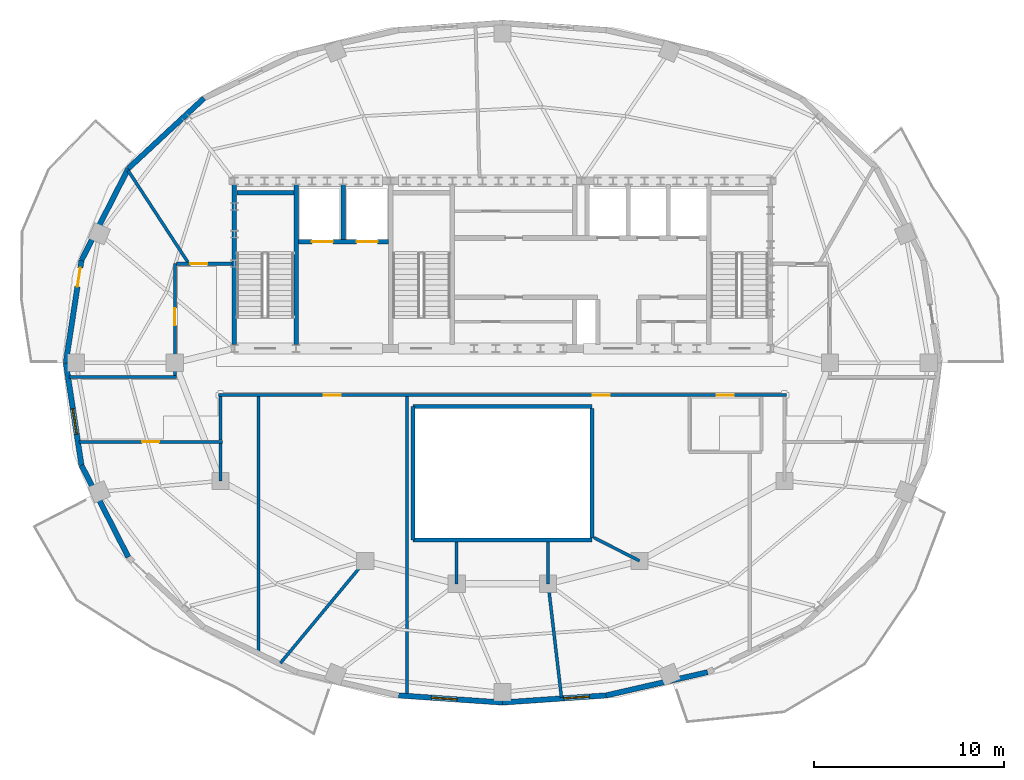
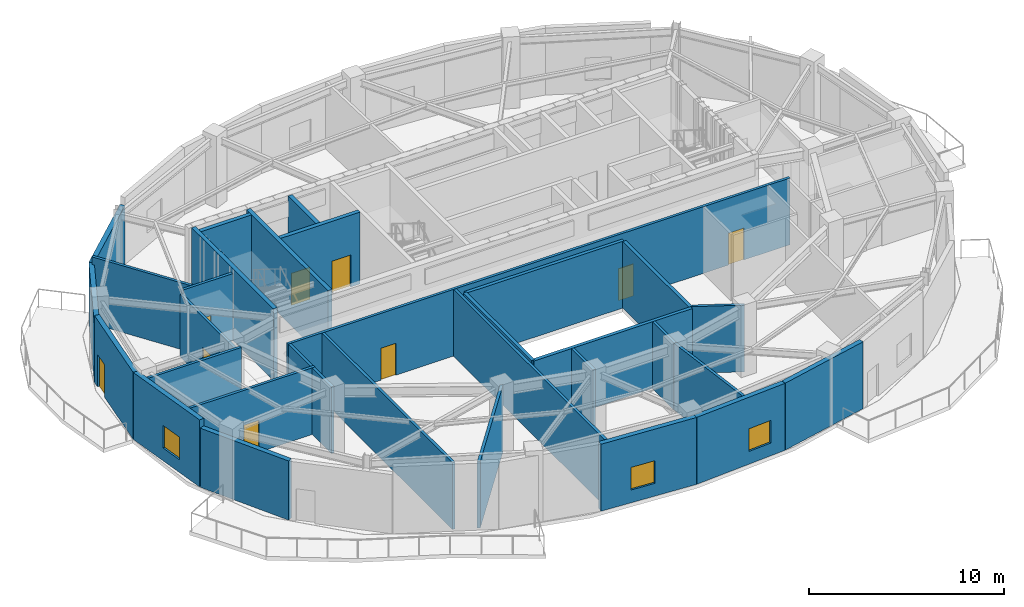
# One storey, part 3 of 9: 32 walls, 9 doors, 3 windows, 12 openings.
"""IFC4 building model written with IfcOpenShell, lengths in metres."""

import ifcopenshell
import ifcopenshell.guid

model = None  # the IFC model being written
_history = None  # IfcOwnerHistory: only IFC2X3 demands one
_inside = {}  # id of a spatial element -> (the spatial element, [elements in it])
_under = {}  # id of a project, library or spatial element -> (it, [spatial elements below it])
_declared = {}  # id of a project -> (the project, [libraries it declares])
_typed = {}  # id of a type object -> (the type object, [elements of that type])
_made_of = {}  # id of a material, layer set ... -> (it, [elements and type objects made of it])


def new_model(schema):
    """Start an empty IFC model of exactly this schema.

    Asked for "IFC4X3", IfcOpenShell would pick the latest addendum, in which some entities
    have other attributes; the version numbers below select the first issue.
    IFC2X3 requires an IfcOwnerHistory on every rooted entity: one is made here for all.
    """
    global model, _history
    if schema == "IFC4X3":
        model = ifcopenshell.file(schema_version=(4, 3, 0, 0))
    else:
        model = ifcopenshell.file(schema=schema)
    _inside.clear()
    _under.clear()
    _declared.clear()
    _typed.clear()
    _made_of.clear()
    _history = None
    if model.schema == "IFC2X3":
        org = make("IfcOrganization", Name="unknown")
        user = make(
            "IfcPersonAndOrganization",
            ThePerson=make("IfcPerson", FamilyName="unknown"),
            TheOrganization=org,
        )
        app = make(
            "IfcApplication",
            ApplicationDeveloper=org,
            Version="unknown",
            ApplicationFullName="unknown",
            ApplicationIdentifier="unknown",
        )
        _history = make(
            "IfcOwnerHistory",
            OwningUser=user,
            OwningApplication=app,
            ChangeAction="ADDED",
            CreationDate=0,
        )
    return model


def make(cls, **values):
    """One entity of the class cls with the attributes given. An attribute that is None is left unset."""
    return model.create_entity(
        cls, **{name: value for name, value in values.items() if value is not None}
    )


def rooted(cls, **values):
    """An entity with a GlobalId (a new one), such as an element, a storey or a relation."""
    return make(cls, GlobalId=ifcopenshell.guid.new(), OwnerHistory=_history, **values)


def si_unit(unit_type, name, prefix=None):
    """IfcSIUnit, for example si_unit("LENGTHUNIT", "METRE", prefix="MILLI")."""
    return make("IfcSIUnit", UnitType=unit_type, Prefix=prefix, Name=name)


def assignment(units):
    """IfcUnitAssignment: the units of a project."""
    return None if units is None else make("IfcUnitAssignment", Units=units)


def point(xyz):
    """IfcCartesianPoint."""
    return None if xyz is None else make("IfcCartesianPoint", Coordinates=xyz)


def direction(xyz):
    """IfcDirection."""
    return None if xyz is None else make("IfcDirection", DirectionRatios=xyz)


def frame(location, z_axis=None, x_axis=None):
    """IfcAxis2Placement3D, a coordinate frame: its origin and axes. An axis left out is left unset."""
    return make(
        "IfcAxis2Placement3D",
        Location=point(location),
        Axis=direction(z_axis),
        RefDirection=direction(x_axis),
    )


def frame_2d(location, x_axis=None):
    """IfcAxis2Placement2D, a coordinate frame in the plane: its origin and x axis."""
    return make(
        "IfcAxis2Placement2D", Location=point(location), RefDirection=direction(x_axis)
    )


def origin():
    """The frame at (0, 0, 0) with its axes left unset."""
    return frame((0.0, 0.0, 0.0))


def place(relative_to, where):
    """IfcLocalPlacement: puts the frame where relative to a parent placement (None: the world)."""
    return make(
        "IfcLocalPlacement", PlacementRelTo=relative_to, RelativePlacement=where
    )


def context(
    kind, dimensions, precision=None, world=None, true_north=None, identifier=None
):
    """IfcGeometricRepresentationContext, for example the 3D "Model" context."""
    return make(
        "IfcGeometricRepresentationContext",
        ContextIdentifier=identifier,
        ContextType=kind,
        CoordinateSpaceDimension=dimensions,
        Precision=precision,
        WorldCoordinateSystem=world,
        TrueNorth=true_north,
    )


def subcontext(parent, identifier, kind, view, scale=None):
    """IfcGeometricRepresentationSubContext, for example "Body" below "Model"."""
    return make(
        "IfcGeometricRepresentationSubContext",
        ContextIdentifier=identifier,
        ContextType=kind,
        ParentContext=parent,
        TargetScale=scale,
        TargetView=view,
    )


def project(units=None, contexts=None):
    """IfcProject with its units and contexts."""
    return rooted(
        "IfcProject",
        Name="project",
        RepresentationContexts=contexts,
        UnitsInContext=assignment(units),
    )


def spatial(cls, under=None, at=None, **own):
    """A site, building, storey or space (cls), placed at a placement, below another one or the project."""
    s = rooted(cls, ObjectPlacement=at, **own)
    if under is not None:
        _under.setdefault(under.id(), (under, []))[1].append(s)
    return s


def profile(cls, at=None, kind="AREA", **sizes):
    """A parametric profile (cls). Its sizes go by their IFC names, for example OverallWidth=200.0."""
    return make(cls, ProfileType=kind, Position=at, **sizes)


def rectangle(**sizes):
    """IfcRectangleProfileDef."""
    return profile("IfcRectangleProfileDef", **sizes)


def extrude(swept, where, along, depth):
    """IfcExtrudedAreaSolid: the profile swept, set in the frame where, extruded along a direction by depth."""
    return make(
        "IfcExtrudedAreaSolid",
        SweptArea=swept,
        Position=where,
        ExtrudedDirection=direction(along),
        Depth=depth,
    )


def shape(context_of_items, identifier, shape_type, items):
    """IfcShapeRepresentation: the items that make up one representation, for example the "Body"."""
    return make(
        "IfcShapeRepresentation",
        ContextOfItems=context_of_items,
        RepresentationIdentifier=identifier,
        RepresentationType=shape_type,
        Items=items,
    )


def material(Name=None, Category=None):
    """IfcMaterial."""
    return make("IfcMaterial", Name=Name, Category=Category)


def layer(
    of_material, thickness, ventilated=None, Name=None, Category=None, Priority=None
):
    """IfcMaterialLayer: one layer of a wall or slab, of a material (None: an air gap)."""
    return make(
        "IfcMaterialLayer",
        Material=of_material,
        LayerThickness=thickness,
        IsVentilated=ventilated,
        Name=Name,
        Category=Category,
        Priority=Priority,
    )


def layer_set(layers, Name=None):
    """IfcMaterialLayerSet."""
    return make("IfcMaterialLayerSet", MaterialLayers=layers, LayerSetName=Name)


def made_of(thing, what):
    """Note that an element or type object is made of a material, layer set ...; save() writes the relation."""
    if what is not None:
        _made_of.setdefault(what.id(), (what, []))[1].append(thing)
    return thing


def type_object(cls, material=None, **own):
    """A type object (cls), such as IfcWallType, which elements share."""
    return made_of(rooted(cls, **own), material)


def element(
    cls,
    number,
    at=None,
    inside=None,
    cuts=None,
    type_object=None,
    material=None,
    context=None,
    identifier="Body",
    shape_type=None,
    held_by="IfcProductDefinitionShape",
    body=None,
    shapes=None,
    **own,
):
    """One element of the class cls, such as IfcWall. Its Tag is "e" and its number.

    at: its placement. inside: the storey or other place that contains it. cuts: it is an
    opening in that element (IfcRelVoidsElement). A single representation is given by context,
    identifier, shape_type and body (its items); several are given by shapes. held_by: the class
    of the entity that holds the representations. save() writes the other relations.
    """
    e = rooted(cls, Tag="e%d" % number, ObjectPlacement=at, **own)
    if body is not None:
        shapes = [shape(context, identifier, shape_type, body)]
    if shapes is not None:
        e.Representation = make(held_by, Representations=shapes)
    if inside is not None:
        _inside.setdefault(inside.id(), (inside, []))[1].append(e)
    if cuts is not None:
        rooted(
            "IfcRelVoidsElement", RelatingBuildingElement=cuts, RelatedOpeningElement=e
        )
    if type_object is not None:
        _typed.setdefault(type_object.id(), (type_object, []))[1].append(e)
    return made_of(e, material)


def fill(opening, filler):
    """IfcRelFillsElement: the door or window that sits in an opening."""
    return rooted(
        "IfcRelFillsElement",
        RelatingOpeningElement=opening,
        RelatedBuildingElement=filler,
    )


def aggregate(whole, parts):
    """IfcRelAggregates: a whole, such as a stair, and the parts it consists of."""
    return rooted("IfcRelAggregates", RelatingObject=whole, RelatedObjects=parts)


def save(model, path):
    """Write the relations noted so far, then the file.

    IfcRelAggregates (storeys below a building ...), IfcRelContainedInSpatialStructure (elements
    in a storey), IfcRelDefinesByType, IfcRelAssociatesMaterial and IfcRelDeclares: one each for
    every whole, place, type object, material and project.
    """
    for whole, parts in _under.values():
        aggregate(whole, parts)
    for where, things in _inside.values():
        rooted(
            "IfcRelContainedInSpatialStructure",
            RelatedElements=things,
            RelatingStructure=where,
        )
    for kind, things in _typed.values():
        rooted("IfcRelDefinesByType", RelatedObjects=things, RelatingType=kind)
    for what, things in _made_of.values():
        rooted("IfcRelAssociatesMaterial", RelatedObjects=things, RelatingMaterial=what)
    for by, libraries in _declared.values():
        rooted("IfcRelDeclares", RelatingContext=by, RelatedDefinitions=libraries)
    model.write(path)


model = new_model("IFC4")

# Units and contexts
model_context = context("Model", 3, precision=1e-05, world=origin(), true_north=direction((0.0, 1.0)))
body_context = subcontext(model_context, "Body", "Model", "MODEL_VIEW")
ifc_project = project(units=[si_unit("LENGTHUNIT", "METRE"), si_unit("AREAUNIT", "SQUARE_METRE"), si_unit("VOLUMEUNIT", "CUBIC_METRE"), si_unit("PLANEANGLEUNIT", "RADIAN"), si_unit("MASSUNIT", "GRAM", prefix="KILO")], contexts=[model_context])

# Site, building, storey
site_placement = place(None, origin())
site = spatial("IfcSite", under=ifc_project, at=site_placement, CompositionType="ELEMENT")
building_placement = place(site_placement, origin())
building = spatial("IfcBuilding", under=site, at=building_placement, Name="Haldorwick Loom Tower", CompositionType="ELEMENT")
storey_placement = place(building_placement, frame((0.0, 0.0, 282.0)))
storey = spatial("IfcBuildingStorey", under=building, at=storey_placement, Name="L76", CompositionType="ELEMENT", Elevation=282.0)

# Walls
ifc_material_1 = material(Name="Pressed Clay Face Brick and Insulated Masonry Backup Assembly", Category="masonry")
ifc_layer_1 = layer(ifc_material_1, 0.280029296875, Name="Pressed Clay Face Brick and Insulated Masonry Backup Assembly", Category="masonry")
ifc_layer_set_1 = layer_set([ifc_layer_1], Name="Pressed Clay Face Brick and Insulated Masonry Backup Assembly")
wall_type_1 = type_object("IfcWallType", Name="ARC-WL-EXT280", PredefinedType="STANDARD", material=ifc_layer_set_1)
for number, where, z_axis, x_axis, name in (
    (1, (20.3291015625, 39.885009765625, 0.0), (0.0, 0.0, 1.0), (-0.733156506145, -0.680059951399, 0.0), "L76 Brick Pier and Spandrel Wall 10"),
    (2, (16.361328125, 36.20458984375, 0.0), (0.0, 0.0, 1.0), (-0.454417014044, -0.890789075678, 0.0), "L76 Brick Pier and Spandrel Wall 11"),
):
    element("IfcWall", number, at=place(storey_placement, frame(where, z_axis=z_axis, x_axis=x_axis)), inside=storey, type_object=wall_type_1, Name=name, PredefinedType="STANDARD", context=body_context, shape_type="SweptSolid", body=[
        extrude(rectangle(XDim=5.411865234375, YDim=0.280029296875, at=frame_2d((2.7060546875, 0.0))), origin(), (0.0, 0.0, 1.0), 3.708984375),
    ])

# Wall, opening, door
wall_1_placement = place(storey_placement, frame((13.902099609375, 31.3837890625, 0.0), z_axis=(0.0, 0.0, 1.0), x_axis=(-0.151110573005, -0.988516866182, 0.0)))
wall_1 = element("IfcWall", 3, at=wall_1_placement, inside=storey, type_object=wall_type_1, Name="L76 Brick Pier and Spandrel Wall 12", PredefinedType="STANDARD", context=body_context, shape_type="SweptSolid", body=[
    extrude(rectangle(XDim=5.4462890625, YDim=0.280029296875, at=frame_2d((2.72314453125, 0.0))), origin(), (0.0, 0.0, 1.0), 4.199951171875),
])
opening_1_placement = place(wall_1_placement, frame((0.39990234375, 0.0, 0.0)))
opening_1 = element("IfcOpeningElement", 4, at=opening_1_placement, cuts=wall_1, Name="Opening D-BL10", PredefinedType="OPENING", context=body_context, shape_type="SweptSolid", body=[
    extrude(rectangle(XDim=1.0, YDim=2.0400390625, at=frame_2d((0.5, 1.02001953125))), frame((0.0, 0.14990234375, 0.0), z_axis=(0.0, -1.0, 0.0), x_axis=(1.0, 0.0, 0.0)), (0.0, 0.0, 1.0), 0.300048828125),
])
ifc_material_2 = material(Name="Thermally Broken Anodized Aluminium Curtain Wall Framing", Category="aluminium")
door_type_1 = type_object("IfcDoorType", Name="ARC-DR-BAL100", OperationType="NOTDEFINED", PredefinedType="DOOR", material=ifc_material_2)
door_1_placement = place(opening_1_placement, origin())
door_1 = element("IfcDoor", 5, at=door_1_placement, inside=storey, type_object=door_type_1, Name="L76 Outdoor Terrace Door SLB-L76-BAL_WNW", OperationType="SINGLE_SWING_RIGHT", OverallHeight=2.0400390625, OverallWidth=1.0, PredefinedType="DOOR", context=body_context, shape_type="SweptSolid", body=[
    extrude(rectangle(XDim=1.0, YDim=2.0400390625, at=frame_2d((0.5, 1.02001953125))), frame((0.0, 0.02490234375, 0.0), z_axis=(0.0, -1.0, 0.0), x_axis=(1.0, 0.0, 0.0)), (0.0, 0.0, 1.0), 0.050048828125),
])
fill(opening_1, door_1)

# Wall, opening, window
wall_2_placement = place(storey_placement, frame((13.0791015625, 26.0, 0.0), z_axis=(0.0, 0.0, 1.0), x_axis=(0.151110573005, -0.988516866182, 0.0)))
wall_2 = element("IfcWall", 6, at=wall_2_placement, inside=storey, type_object=wall_type_1, Name="L76 Brick Pier and Spandrel Wall 13", PredefinedType="STANDARD", context=body_context, shape_type="SweptSolid", body=[
    extrude(rectangle(XDim=5.4462890625, YDim=0.280029296875, at=frame_2d((2.72314453125, 0.0))), origin(), (0.0, 0.0, 1.0), 4.199951171875),
])
opening_2_placement = place(wall_2_placement, frame((2.437744140625, 0.0, 0.800048828125)))
opening_2 = element("IfcOpeningElement", 7, at=opening_2_placement, cuts=wall_2, Name="Opening W-02B", PredefinedType="OPENING", context=body_context, shape_type="SweptSolid", body=[
    extrude(rectangle(XDim=1.35009765625, YDim=1.419921875, at=frame_2d((0.675048828125, 0.7099609375))), frame((0.0, 0.14990234375, 0.0), z_axis=(0.0, -1.0, 0.0), x_axis=(1.0, 0.0, 0.0)), (0.0, 0.0, 1.0), 0.300048828125),
])
ifc_material_3 = material(Name="Triple-Glazed Low-E Argon Insulated Glazing Unit", Category="glass")
window_type = type_object("IfcWindowType", Name="ARC-WIN-W135", PartitioningType="SINGLE_PANEL", PredefinedType="WINDOW", material=ifc_material_3)
window_1_placement = place(opening_2_placement, origin())
window_1 = element("IfcWindow", 8, at=window_1_placement, inside=storey, type_object=window_type, Name="L76 Deep-Set Zone 7A Window 13", OverallHeight=1.419921875, OverallWidth=1.35009765625, PartitioningType="SINGLE_PANEL", PredefinedType="WINDOW", context=body_context, shape_type="SweptSolid", body=[
    extrude(rectangle(XDim=1.35009765625, YDim=1.419921875, at=frame_2d((0.675048828125, 0.7099609375))), frame((0.0, 0.030029296875, 0.0), z_axis=(0.0, -1.0, 0.0), x_axis=(1.0, 0.0, 0.0)), (0.0, 0.0, 1.0), 0.06005859375),
])
fill(opening_2, window_1)

# Wall
wall_3_placement = place(storey_placement, frame((13.902099609375, 20.6162109375, 0.0), z_axis=(0.0, 0.0, 1.0), x_axis=(0.454417014044, -0.890789075678, 0.0)))
element("IfcWall", 9, at=wall_3_placement, inside=storey, type_object=wall_type_1, Name="L76 Brick Pier and Spandrel Wall 14", PredefinedType="STANDARD", context=body_context, shape_type="SweptSolid", body=[
    extrude(rectangle(XDim=5.411865234375, YDim=0.280029296875, at=frame_2d((2.7060546875, 0.0))), origin(), (0.0, 0.0, 1.0), 3.708984375),
])

# Wall, opening, window
wall_4_placement = place(storey_placement, frame((30.55126953125, 8.53759765625, 0.0), z_axis=(0.0, 0.0, 1.0), x_axis=(0.997667530395, -0.068260521503, 0.0)))
wall_4 = element("IfcWall", 10, at=wall_4_placement, inside=storey, type_object=wall_type_1, Name="L76 Brick Pier and Spandrel Wall 18", PredefinedType="STANDARD", context=body_context, shape_type="SweptSolid", body=[
    extrude(rectangle(XDim=5.46142578125, YDim=0.280029296875, at=frame_2d((2.730712890625, 0.0))), origin(), (0.0, 0.0, 1.0), 4.199951171875),
])
opening_3_placement = place(wall_4_placement, frame((1.724609375, 0.0, 0.800048828125)))
opening_3 = element("IfcOpeningElement", 11, at=opening_3_placement, cuts=wall_4, Name="Opening W-02B", PredefinedType="OPENING", context=body_context, shape_type="SweptSolid", body=[
    extrude(rectangle(XDim=1.35009765625, YDim=1.419921875, at=frame_2d((0.675048828125, 0.7099609375))), frame((0.0, 0.14990234375, 0.0), z_axis=(0.0, -1.0, 0.0), x_axis=(1.0, 0.0, 0.0)), (0.0, 0.0, 1.0), 0.300048828125),
])
window_2_placement = place(opening_3_placement, origin())
window_2 = element("IfcWindow", 12, at=window_2_placement, inside=storey, type_object=window_type, Name="L76 Deep-Set Zone 7A Window 18", OverallHeight=1.419921875, OverallWidth=1.35009765625, PartitioningType="SINGLE_PANEL", PredefinedType="WINDOW", context=body_context, shape_type="SweptSolid", body=[
    extrude(rectangle(XDim=1.35009765625, YDim=1.419921875, at=frame_2d((0.675048828125, 0.7099609375))), frame((0.0, 0.030029296875, 0.0), z_axis=(0.0, -1.0, 0.0), x_axis=(1.0, 0.0, 0.0)), (0.0, 0.0, 1.0), 0.06005859375),
])
fill(opening_3, window_2)

wall_5_placement = place(storey_placement, frame((36.0, 8.164794921875, 0.0), z_axis=(0.0, 0.0, 1.0), x_axis=(0.997667530395, 0.068260521503, 0.0)))
wall_5 = element("IfcWall", 13, at=wall_5_placement, inside=storey, type_object=wall_type_1, Name="L76 Brick Pier and Spandrel Wall 19", PredefinedType="STANDARD", context=body_context, shape_type="SweptSolid", body=[
    extrude(rectangle(XDim=5.46142578125, YDim=0.280029296875, at=frame_2d((2.730712890625, 0.0))), origin(), (0.0, 0.0, 1.0), 4.199951171875),
])
opening_4_placement = place(wall_5_placement, frame((3.2294921875, 0.0, 0.800048828125)))
opening_4 = element("IfcOpeningElement", 14, at=opening_4_placement, cuts=wall_5, Name="Opening W-02B", PredefinedType="OPENING", context=body_context, shape_type="SweptSolid", body=[
    extrude(rectangle(XDim=1.35009765625, YDim=1.419921875, at=frame_2d((0.675048828125, 0.7099609375))), frame((0.0, 0.14990234375, 0.0), z_axis=(0.0, -1.0, 0.0), x_axis=(1.0, 0.0, 0.0)), (0.0, 0.0, 1.0), 0.300048828125),
])
window_3_placement = place(opening_4_placement, origin())
window_3 = element("IfcWindow", 15, at=window_3_placement, inside=storey, type_object=window_type, Name="L76 Deep-Set Zone 7A Window 19", OverallHeight=1.419921875, OverallWidth=1.35009765625, PartitioningType="SINGLE_PANEL", PredefinedType="WINDOW", context=body_context, shape_type="SweptSolid", body=[
    extrude(rectangle(XDim=1.35009765625, YDim=1.419921875, at=frame_2d((0.675048828125, 0.7099609375))), frame((0.0, 0.030029296875, 0.0), z_axis=(0.0, -1.0, 0.0), x_axis=(1.0, 0.0, 0.0)), (0.0, 0.0, 1.0), 0.06005859375),
])
fill(opening_4, window_3)

# Wall
wall_6_placement = place(storey_placement, frame((41.44873046875, 8.53759765625, 0.0), z_axis=(0.0, 0.0, 1.0), x_axis=(0.974769032237, 0.223215890545, 0.0)))
element("IfcWall", 16, at=wall_6_placement, inside=storey, type_object=wall_type_1, Name="L76 Brick Pier and Spandrel Wall 20", PredefinedType="STANDARD", context=body_context, shape_type="SweptSolid", body=[
    extrude(rectangle(XDim=5.457763671875, YDim=0.280029296875, at=frame_2d((2.72900390625, 0.0))), origin(), (0.0, 0.0, 1.0), 4.199951171875),
])

# Wall, openings, doors
ifc_material_4 = material(Name="Fire-Rated Type X Gypsum Stud Assembly EI 60")
ifc_layer_2 = layer(ifc_material_4, 0.159912109375, Name="Fire-Rated Type X Gypsum Stud Assembly EI 60")
ifc_layer_set_2 = layer_set([ifc_layer_2], Name="Fire-Rated Type X Gypsum Stud Assembly EI 60")
wall_type_2 = type_object("IfcWallType", Name="ARC-WL-FIRE160", PredefinedType="PARTITIONING", material=ifc_layer_set_2)
wall_7_placement = place(storey_placement, frame((21.10009765625, 24.300048828125, 0.0), z_axis=(0.0, 0.0, 1.0), x_axis=(1.0, 0.0, 0.0)))
wall_7 = element("IfcWall", 17, at=wall_7_placement, inside=storey, type_object=wall_type_2, Name="L76 Residential Fire Partition L76-CR-SP", PredefinedType="PARTITIONING", context=body_context, shape_type="SweptSolid", body=[
    extrude(rectangle(XDim=29.7998046875, YDim=0.159912109375, at=frame_2d((14.89990234375, 0.0))), origin(), (0.0, 0.0, 1.0), 4.18505859375),
])
opening_5_placement = place(wall_7_placement, frame((19.639892578125, 0.0, 0.0)))
opening_5 = element("IfcOpeningElement", 18, at=opening_5_placement, cuts=wall_7, Name="Opening D-FD60A", PredefinedType="OPENING", context=body_context, shape_type="SweptSolid", body=[
    extrude(rectangle(XDim=0.89990234375, YDim=2.0, at=frame_2d((0.449951171875, 1.0))), frame((0.0, 0.08984375, 0.0), z_axis=(0.0, -1.0, 0.0), x_axis=(1.0, 0.0, 0.0)), (0.0, 0.0, 1.0), 0.179931640625),
])
opening_6_placement = place(wall_7_placement, frame((5.510009765625, 0.0, 0.0)))
opening_6 = element("IfcOpeningElement", 19, at=opening_6_placement, cuts=wall_7, Name="Opening D-FD60A", PredefinedType="OPENING", context=body_context, shape_type="SweptSolid", body=[
    extrude(rectangle(XDim=0.89990234375, YDim=2.0, at=frame_2d((0.449951171875, 1.0))), frame((0.0, 0.08984375, 0.0), z_axis=(0.0, -1.0, 0.0), x_axis=(1.0, 0.0, 0.0)), (0.0, 0.0, 1.0), 0.179931640625),
])
opening_7_placement = place(wall_7_placement, frame((26.1494140625, 0.0, 0.0)))
opening_7 = element("IfcOpeningElement", 20, at=opening_7_placement, cuts=wall_7, Name="Opening D-FD60A", PredefinedType="OPENING", context=body_context, shape_type="SweptSolid", body=[
    extrude(rectangle(XDim=0.89990234375, YDim=2.0, at=frame_2d((0.449951171875, 1.0))), frame((0.0, 0.08984375, 0.0), z_axis=(0.0, -1.0, 0.0), x_axis=(1.0, 0.0, 0.0)), (0.0, 0.0, 1.0), 0.179931640625),
])
ifc_material_5 = material(Name="Hollow Steel Fire Door Assembly", Category="steel")
door_type_2 = type_object("IfcDoorType", Name="ARC-DR-FD60-90", OperationType="NOTDEFINED", PredefinedType="DOOR", material=ifc_material_5)
door_2_placement = place(opening_5_placement, origin())
door_2 = element("IfcDoor", 21, at=door_2_placement, inside=storey, type_object=door_type_2, Name="L76 L76 Central Residential Corridor to Co-Working Open Office 5 Door", OperationType="SINGLE_SWING_RIGHT", OverallHeight=2.0, OverallWidth=0.89990234375, PredefinedType="DOOR", context=body_context, shape_type="SweptSolid", body=[
    extrude(rectangle(XDim=0.89990234375, YDim=2.0, at=frame_2d((0.449951171875, 1.0))), frame((0.0, 0.02490234375, 0.0), z_axis=(0.0, -1.0, 0.0), x_axis=(1.0, 0.0, 0.0)), (0.0, 0.0, 1.0), 0.050048828125),
])
fill(opening_5, door_2)
door_3_placement = place(opening_6_placement, origin())
door_3 = element("IfcDoor", 22, at=door_3_placement, inside=storey, type_object=door_type_2, Name="L76 L76 Central Residential Corridor to Co-Working Open Office 2 Door", OperationType="SINGLE_SWING_LEFT", OverallHeight=2.0, OverallWidth=0.89990234375, PredefinedType="DOOR", context=body_context, shape_type="SweptSolid", body=[
    extrude(rectangle(XDim=0.89990234375, YDim=2.0, at=frame_2d((0.449951171875, 1.0))), frame((0.0, 0.02490234375, 0.0), z_axis=(0.0, -1.0, 0.0), x_axis=(1.0, 0.0, 0.0)), (0.0, 0.0, 1.0), 0.050048828125),
])
fill(opening_6, door_3)
door_4_placement = place(opening_7_placement, origin())
door_4 = element("IfcDoor", 23, at=door_4_placement, inside=storey, type_object=door_type_2, Name="L76 L76 Central Residential Corridor to Common Accessible WC Door", OperationType="SINGLE_SWING_RIGHT", OverallHeight=2.0, OverallWidth=0.89990234375, PredefinedType="DOOR", context=body_context, shape_type="SweptSolid", body=[
    extrude(rectangle(XDim=0.89990234375, YDim=2.0, at=frame_2d((0.449951171875, 1.0))), frame((0.0, 0.02490234375, 0.0), z_axis=(0.0, -1.0, 0.0), x_axis=(1.0, 0.0, 0.0)), (0.0, 0.0, 1.0), 0.050048828125),
])
fill(opening_7, door_4)

# Wall, opening, door
wall_8_placement = place(storey_placement, frame((13.759033203125, 21.85009765625, 0.0), z_axis=(0.0, 0.0, 1.0), x_axis=(1.0, 0.0, 0.0)))
wall_8 = element("IfcWall", 24, at=wall_8_placement, inside=storey, type_object=wall_type_2, Name="L76 Residential Fire Partition L76-CR-SPW", PredefinedType="PARTITIONING", context=body_context, shape_type="SweptSolid", body=[
    extrude(rectangle(XDim=7.541015625, YDim=0.159912109375, at=frame_2d((3.7705078125, 0.0))), origin(), (0.0, 0.0, 1.0), 4.18505859375),
])
opening_8_placement = place(wall_8_placement, frame((3.3203125, 0.0, 0.0)))
opening_8 = element("IfcOpeningElement", 25, at=opening_8_placement, cuts=wall_8, Name="Opening D-FD60A", PredefinedType="OPENING", context=body_context, shape_type="SweptSolid", body=[
    extrude(rectangle(XDim=0.89990234375, YDim=2.0, at=frame_2d((0.449951171875, 1.0))), frame((0.0, 0.08984375, 0.0), z_axis=(0.0, -1.0, 0.0), x_axis=(1.0, 0.0, 0.0)), (0.0, 0.0, 1.0), 0.179931640625),
])
door_5_placement = place(opening_8_placement, origin())
door_5 = element("IfcDoor", 26, at=door_5_placement, inside=storey, type_object=door_type_2, Name="L76 L76 Central Residential Corridor to Resident Study Room 2 Door", OperationType="SINGLE_SWING_RIGHT", OverallHeight=2.0, OverallWidth=0.89990234375, PredefinedType="DOOR", context=body_context, shape_type="SweptSolid", body=[
    extrude(rectangle(XDim=0.89990234375, YDim=2.0, at=frame_2d((0.449951171875, 1.0))), frame((0.0, 0.02490234375, 0.0), z_axis=(0.0, -1.0, 0.0), x_axis=(1.0, 0.0, 0.0)), (0.0, 0.0, 1.0), 0.050048828125),
])
fill(opening_8, door_5)

# Walls
wall_9_placement = place(storey_placement, frame((21.199951171875, 21.93310546875, 0.0), z_axis=(0.0, 0.0, 1.0), x_axis=(0.0, 1.0, 0.0)))
element("IfcWall", 27, at=wall_9_placement, inside=storey, type_object=wall_type_2, Name="L76 Residential Fire Partition L76-CR-STW", PredefinedType="PARTITIONING", context=body_context, shape_type="SweptSolid", body=[
    extrude(rectangle(XDim=2.283935546875, YDim=0.159912109375, at=frame_2d((1.14208984375, 0.0))), origin(), (0.0, 0.0, 1.0), 4.18505859375),
])
wall_10_placement = place(storey_placement, frame((13.239501953125, 25.25, 0.0), z_axis=(0.0, 0.0, 1.0), x_axis=(1.0, 0.0, 0.0)))
element("IfcWall", 28, at=wall_10_placement, inside=storey, type_object=wall_type_2, Name="L76 Residential Fire Partition L76-CR-NWL", PredefinedType="PARTITIONING", context=body_context, shape_type="SweptSolid", body=[
    extrude(rectangle(XDim=5.660400390625, YDim=0.159912109375, at=frame_2d((2.830078125, 0.0))), origin(), (0.0, 0.0, 1.0), 4.18505859375),
])

# Wall, opening, door
wall_11_placement = place(storey_placement, frame((18.800048828125, 25.3330078125, 0.0), z_axis=(0.0, 0.0, 1.0), x_axis=(0.0, 1.0, 0.0)))
wall_11 = element("IfcWall", 29, at=wall_11_placement, inside=storey, type_object=wall_type_2, Name="L76 Residential Fire Partition L76-CR-W0", PredefinedType="PARTITIONING", context=body_context, shape_type="SweptSolid", body=[
    extrude(rectangle(XDim=5.866943359375, YDim=0.159912109375, at=frame_2d((2.93359375, 0.0))), origin(), (0.0, 0.0, 1.0), 3.9169921875),
])
opening_9_placement = place(wall_11_placement, frame((2.634521484375, 0.0, 0.0)))
opening_9 = element("IfcOpeningElement", 30, at=opening_9_placement, cuts=wall_11, Name="Opening D-FD60A", PredefinedType="OPENING", context=body_context, shape_type="SweptSolid", body=[
    extrude(rectangle(XDim=0.89990234375, YDim=2.0, at=frame_2d((0.449951171875, 1.0))), frame((0.0, 0.08984375, 0.0), z_axis=(0.0, -1.0, 0.0), x_axis=(1.0, 0.0, 0.0)), (0.0, 0.0, 1.0), 0.179931640625),
])
door_6_placement = place(opening_9_placement, frame((0.89990234375, 0.0, 0.0), z_axis=(0.0, 0.0, 1.0), x_axis=(-1.0, 0.0, 0.0)))
door_6 = element("IfcDoor", 31, at=door_6_placement, inside=storey, type_object=door_type_2, Name="L76 Quiet Study Room 3 to L76 Central Residential Corridor Door", OperationType="SINGLE_SWING_RIGHT", OverallHeight=2.0, OverallWidth=0.89990234375, PredefinedType="DOOR", context=body_context, shape_type="SweptSolid", body=[
    extrude(rectangle(XDim=0.89990234375, YDim=2.0, at=frame_2d((0.449951171875, 1.0))), frame((0.0, 0.02490234375, 0.0), z_axis=(0.0, -1.0, 0.0), x_axis=(1.0, 0.0, 0.0)), (0.0, 0.0, 1.0), 0.050048828125),
])
fill(opening_9, door_6)

wall_12_placement = place(storey_placement, frame((18.883056640625, 31.199951171875, 0.0), z_axis=(0.0, 0.0, 1.0), x_axis=(1.0, 0.0, 0.0)))
wall_12 = element("IfcWall", 32, at=wall_12_placement, inside=storey, type_object=wall_type_2, Name="L76 Residential Fire Partition L76-CR-WNJ", PredefinedType="PARTITIONING", context=body_context, shape_type="SweptSolid", body=[
    extrude(rectangle(XDim=2.923828125, YDim=0.159912109375, at=frame_2d((1.4619140625, 0.0))), origin(), (0.0, 0.0, 1.0), 4.18505859375),
])
opening_10_placement = place(wall_12_placement, frame((0.732666015625, 0.0, 0.0)))
opening_10 = element("IfcOpeningElement", 33, at=opening_10_placement, cuts=wall_12, Name="Opening D-FD60A", PredefinedType="OPENING", context=body_context, shape_type="SweptSolid", body=[
    extrude(rectangle(XDim=0.89990234375, YDim=2.0, at=frame_2d((0.449951171875, 1.0))), frame((0.0, 0.08984375, 0.0), z_axis=(0.0, -1.0, 0.0), x_axis=(1.0, 0.0, 0.0)), (0.0, 0.0, 1.0), 0.179931640625),
])
door_7_placement = place(opening_10_placement, frame((0.89990234375, 0.0, 0.0), z_axis=(0.0, 0.0, 1.0), x_axis=(-1.0, 0.0, 0.0)))
door_7 = element("IfcDoor", 34, at=door_7_placement, inside=storey, type_object=door_type_2, Name="L76 Co-Working Open Office 3 to L76 Central Residential Corridor Door", OperationType="SINGLE_SWING_RIGHT", OverallHeight=2.0, OverallWidth=0.89990234375, PredefinedType="DOOR", context=body_context, shape_type="SweptSolid", body=[
    extrude(rectangle(XDim=0.89990234375, YDim=2.0, at=frame_2d((0.449951171875, 1.0))), frame((0.0, 0.02490234375, 0.0), z_axis=(0.0, -1.0, 0.0), x_axis=(1.0, 0.0, 0.0)), (0.0, 0.0, 1.0), 0.050048828125),
])
fill(opening_10, door_7)

# Walls
wall_13_placement = place(storey_placement, frame((38.39990234375, 14.39990234375, 0.0), z_axis=(0.0, 0.0, 1.0), x_axis=(0.11649762977, -0.993190969682, 0.0)))
element("IfcWall", 35, at=wall_13_placement, inside=storey, type_object=wall_type_2, Name="L76 Residential Fire Partition L76-ICR-04", PredefinedType="PARTITIONING", context=body_context, shape_type="SweptSolid", body=[
    extrude(rectangle(XDim=6.018798828125, YDim=0.159912109375, at=frame_2d((3.00927734375, 0.0))), origin(), (0.0, 0.0, 1.0), 4.18505859375),
])
wall_14_placement = place(storey_placement, frame((28.800048828125, 15.60009765625, 0.0), z_axis=(0.0, 0.0, 1.0), x_axis=(-0.638702992359, -0.769453369316, 0.0)))
element("IfcWall", 36, at=wall_14_placement, inside=storey, type_object=wall_type_2, Name="L76 Residential Fire Partition L76-ICR-07", PredefinedType="PARTITIONING", context=body_context, shape_type="SweptSolid", body=[
    extrude(rectangle(XDim=6.97607421875, YDim=0.159912109375, at=frame_2d((3.488037109375, 0.0))), origin(), (0.0, 0.0, 1.0), 4.18505859375),
])
wall_15_placement = place(storey_placement, frame((31.0, 8.552001953125, 0.0), z_axis=(0.0, 0.0, 1.0), x_axis=(0.0, 1.0, 0.0)))
element("IfcWall", 37, at=wall_15_placement, inside=storey, type_object=wall_type_2, Name="L76 Residential Fire Partition L76-SBP-0", PredefinedType="PARTITIONING", context=body_context, shape_type="SweptSolid", body=[
    extrude(rectangle(XDim=15.6650390625, YDim=0.159912109375, at=frame_2d((7.83251953125, 0.0))), origin(), (0.0, 0.0, 1.0), 4.18505859375),
])
wall_16_placement = place(storey_placement, frame((40.802978515625, 16.822021484375, 0.0), z_axis=(0.0, 0.0, 1.0), x_axis=(0.890915506237, -0.454169088278, 0.0)))
element("IfcWall", 38, at=wall_16_placement, inside=storey, type_object=wall_type_2, Name="L76 Residential Fire Partition L76-ICA-02", PredefinedType="PARTITIONING", context=body_context, shape_type="SweptSolid", body=[
    extrude(rectangle(XDim=2.6904296875, YDim=0.159912109375, at=frame_2d((1.34521484375, 0.0))), origin(), (0.0, 0.0, 1.0), 4.18505859375),
])
for number, where, z_axis, x_axis, name in (
    (39, (38.39990234375, 16.596923828125, 0.0), (0.0, 0.0, 1.0), (0.0, -1.0, 0.0), "L76 Residential Fire Partition L76-ICA-03"),
    (40, (33.60009765625, 16.596923828125, 0.0), (0.0, 0.0, 1.0), (0.0, -1.0, 0.0), "L76 Residential Fire Partition L76-ICA-05"),
):
    element("IfcWall", number, at=place(storey_placement, frame(where, z_axis=z_axis, x_axis=x_axis)), inside=storey, type_object=wall_type_2, Name=name, PredefinedType="PARTITIONING", context=body_context, shape_type="SweptSolid", body=[
        extrude(rectangle(XDim=2.197021484375, YDim=0.159912109375, at=frame_2d((1.0986328125, 0.0))), origin(), (0.0, 0.0, 1.0), 4.18505859375),
    ])
wall_17_placement = place(storey_placement, frame((21.199951171875, 21.76708984375, 0.0), z_axis=(0.0, 0.0, 1.0), x_axis=(0.0, -1.0, 0.0)))
element("IfcWall", 41, at=wall_17_placement, inside=storey, type_object=wall_type_2, Name="L76 Residential Fire Partition L76-ICA-08", PredefinedType="PARTITIONING", context=body_context, shape_type="SweptSolid", body=[
    extrude(rectangle(XDim=1.967041015625, YDim=0.159912109375, at=frame_2d((0.9833984375, 0.0))), origin(), (0.0, 0.0, 1.0), 4.18505859375),
])
wall_18_placement = place(storey_placement, frame((23.185791015625, 10.790283203125, 0.0), z_axis=(0.0, 0.0, 1.0), x_axis=(0.0, 1.0, 0.0)))
element("IfcWall", 42, at=wall_18_placement, inside=storey, type_object=wall_type_2, Name="L76 Suite Split Wall", PredefinedType="PARTITIONING", context=body_context, shape_type="SweptSolid", body=[
    extrude(rectangle(XDim=13.4267578125, YDim=0.159912109375, at=frame_2d((6.71337890625, 0.0))), origin(), (0.0, 0.0, 1.0), 4.18505859375),
])
wall_19_placement = place(storey_placement, frame((16.352294921875, 36.087646484375, 0.0), z_axis=(0.0, 0.0, 1.0), x_axis=(0.546304131278, -0.837586888716, 0.0)))
element("IfcWall", 43, at=wall_19_placement, inside=storey, type_object=wall_type_2, Name="L76 Suite Split Wall", PredefinedType="PARTITIONING", context=body_context, shape_type="SweptSolid", body=[
    extrude(rectangle(XDim=5.736328125, YDim=0.159912109375, at=frame_2d((2.8681640625, 0.0))), origin(), (0.0, 0.0, 1.0), 4.18505859375),
])
ifc_material_6 = material(Name="Fire-Rated Type X Gypsum Stud Assembly EI 120")
ifc_layer_3 = layer(ifc_material_6, 0.199951171875, Name="Fire-Rated Type X Gypsum Stud Assembly EI 120")
ifc_layer_set_3 = layer_set([ifc_layer_3], Name="Fire-Rated Type X Gypsum Stud Assembly EI 120")
wall_type_3 = type_object("IfcWallType", Name="ARC-WL-FIRE200", PredefinedType="PARTITIONING", material=ifc_layer_set_3)
for number, where, z_axis, x_axis, name in (
    (44, (31.300048828125, 23.699951171875, 0.0), (0.0, 0.0, 1.0), (1.0, 0.0, 0.0), "L76 Atrium Fire Enclosure Wall N"),
    (45, (40.699951171875, 16.699951171875, 0.0), (0.0, 0.0, 1.0), (-1.0, 0.0, 0.0), "L76 Atrium Fire Enclosure Wall S"),
):
    element("IfcWall", number, at=place(storey_placement, frame(where, z_axis=z_axis, x_axis=x_axis)), inside=storey, type_object=wall_type_3, Name=name, PredefinedType="PARTITIONING", context=body_context, shape_type="SweptSolid", body=[
        extrude(rectangle(XDim=9.39990234375, YDim=0.199951171875, at=frame_2d((4.699951171875, 0.0))), origin(), (0.0, 0.0, 1.0), 4.18505859375),
    ])
wall_20_placement = place(storey_placement, frame((31.300048828125, 16.699951171875, 0.0), z_axis=(0.0, 0.0, 1.0), x_axis=(0.0, 1.0, 0.0)))
element("IfcWall", 46, at=wall_20_placement, inside=storey, type_object=wall_type_3, Name="L76 Atrium Fire Enclosure Wall W", PredefinedType="PARTITIONING", context=body_context, shape_type="SweptSolid", body=[
    extrude(rectangle(XDim=7.0, YDim=0.199951171875, at=frame_2d((3.5, 0.0))), origin(), (0.0, 0.0, 1.0), 4.18505859375),
])
wall_21_placement = place(storey_placement, frame((40.699951171875, 23.596923828125, 0.0), z_axis=(0.0, 0.0, 1.0), x_axis=(0.0, -1.0, 0.0)))
element("IfcWall", 47, at=wall_21_placement, inside=storey, type_object=wall_type_3, Name="L76 Atrium Fire Enclosure Wall E", PredefinedType="PARTITIONING", context=body_context, shape_type="SweptSolid", body=[
    extrude(rectangle(XDim=6.7939453125, YDim=0.199951171875, at=frame_2d((3.39697265625, 0.0))), origin(), (0.0, 0.0, 1.0), 4.18505859375),
])
ifc_material_7 = material(Name="Concrete C50 (50 MPa)", Category="concrete")
ifc_layer_4 = layer(ifc_material_7, 0.239990234375, Name="Concrete C50 (50 MPa)", Category="concrete")
ifc_layer_set_4 = layer_set([ifc_layer_4], Name="Concrete C50 (50 MPa)")
wall_type_4 = type_object("IfcWallType", Name="STR-WL-SHAFT240", PredefinedType="SHEAR", material=ifc_layer_set_4)
for number, where, z_axis, x_axis, name in (
    (48, (21.929931640625, 35.346923828125, 0.0), (0.0, 0.0, 1.0), (0.0, -1.0, 0.0), "L76 Core Shear Wall W"),
    (49, (25.169921875, 26.952880859375, 0.0), (0.0, 0.0, 1.0), (0.0, 1.0, 0.0), "L76 Core Shear Wall 1"),
):
    element("IfcWall", number, at=place(storey_placement, frame(where, z_axis=z_axis, x_axis=x_axis)), inside=storey, type_object=wall_type_4, Name=name, PredefinedType="SHEAR", context=body_context, shape_type="SweptSolid", body=[
        extrude(rectangle(XDim=8.39404296875, YDim=0.239990234375, at=frame_2d((4.197021484375, 0.0))), origin(), (0.0, 0.0, 1.0), 4.5),
    ])
wall_22_placement = place(storey_placement, frame((22.052978515625, 34.919921875, 0.0), z_axis=(0.0, 0.0, 1.0), x_axis=(1.0, 0.0, 0.0)))
element("IfcWall", 50, at=wall_22_placement, inside=storey, type_object=wall_type_4, Name="L76 Core Shear Wall 1N", PredefinedType="SHEAR", context=body_context, shape_type="SweptSolid", body=[
    extrude(rectangle(XDim=2.994140625, YDim=0.239990234375, at=frame_2d((1.4970703125, 0.0))), origin(), (0.0, 0.0, 1.0), 4.5),
])

# Wall, openings, doors
wall_23_placement = place(storey_placement, frame((25.29296875, 32.35009765625, 0.0), z_axis=(0.0, 0.0, 1.0), x_axis=(1.0, 0.0, 0.0)))
wall_23 = element("IfcWall", 51, at=wall_23_placement, inside=storey, type_object=wall_type_4, Name="L76 Core Shear Wall FF", PredefinedType="SHEAR", context=body_context, shape_type="SweptSolid", body=[
    extrude(rectangle(XDim=4.714111328125, YDim=0.239990234375, at=frame_2d((2.35693359375, 0.0))), origin(), (0.0, 0.0, 1.0), 4.5),
])
opening_11_placement = place(wall_23_placement, frame((0.70703125, 0.0, 0.0)))
opening_11 = element("IfcOpeningElement", 52, at=opening_11_placement, cuts=wall_23, Name="Opening LD-FF1", PredefinedType="OPENING", context=body_context, shape_type="SweptSolid", body=[
    extrude(rectangle(XDim=1.10009765625, YDim=2.0, at=frame_2d((0.550048828125, 1.0))), frame((0.0, 0.1298828125, 0.0), z_axis=(0.0, -1.0, 0.0), x_axis=(1.0, 0.0, 0.0)), (0.0, 0.0, 1.0), 0.260009765625),
])
opening_12_placement = place(wall_23_placement, frame((3.056884765625, 0.0, 0.0)))
opening_12 = element("IfcOpeningElement", 53, at=opening_12_placement, cuts=wall_23, Name="Opening LD-FF2", PredefinedType="OPENING", context=body_context, shape_type="SweptSolid", body=[
    extrude(rectangle(XDim=1.10009765625, YDim=2.0, at=frame_2d((0.550048828125, 1.0))), frame((0.0, 0.1298828125, 0.0), z_axis=(0.0, -1.0, 0.0), x_axis=(1.0, 0.0, 0.0)), (0.0, 0.0, 1.0), 0.260009765625),
])
door_type_3 = type_object("IfcDoorType", Name="ARC-DR-LD-FF", OperationType="NOTDEFINED", PredefinedType="USERDEFINED", material=ifc_material_5)
door_8_placement = place(opening_11_placement, origin())
door_8 = element("IfcDoor", 54, at=door_8_placement, inside=storey, type_object=door_type_3, Name="L76 Lift LF-FF1 Sliding Landing Door", ObjectType="LANDING DOOR", OperationType="DOUBLE_DOOR_SLIDING", OverallHeight=2.0, OverallWidth=1.10009765625, PredefinedType="USERDEFINED", context=body_context, shape_type="SweptSolid", body=[
    extrude(rectangle(XDim=1.10009765625, YDim=2.0, at=frame_2d((0.550048828125, 1.0))), frame((0.0, 0.02490234375, 0.0), z_axis=(0.0, -1.0, 0.0), x_axis=(1.0, 0.0, 0.0)), (0.0, 0.0, 1.0), 0.050048828125),
])
fill(opening_11, door_8)
door_9_placement = place(opening_12_placement, origin())
door_9 = element("IfcDoor", 55, at=door_9_placement, inside=storey, type_object=door_type_3, Name="L76 Lift LF-FF2 Sliding Landing Door", ObjectType="LANDING DOOR", OperationType="DOUBLE_DOOR_SLIDING", OverallHeight=2.0, OverallWidth=1.10009765625, PredefinedType="USERDEFINED", context=body_context, shape_type="SweptSolid", body=[
    extrude(rectangle(XDim=1.10009765625, YDim=2.0, at=frame_2d((0.550048828125, 1.0))), frame((0.0, 0.02490234375, 0.0), z_axis=(0.0, -1.0, 0.0), x_axis=(1.0, 0.0, 0.0)), (0.0, 0.0, 1.0), 0.050048828125),
])
fill(opening_12, door_9)

# Wall
wall_24_placement = place(storey_placement, frame((27.64990234375, 32.472900390625, 0.0), z_axis=(0.0, 0.0, 1.0), x_axis=(0.0, 1.0, 0.0)))
element("IfcWall", 56, at=wall_24_placement, inside=storey, type_object=wall_type_4, Name="L76 Core Shear Wall FFD", PredefinedType="SHEAR", context=body_context, shape_type="SweptSolid", body=[
    extrude(rectangle(XDim=2.8740234375, YDim=0.239990234375, at=frame_2d((1.43701171875, 0.0))), origin(), (0.0, 0.0, 1.0), 4.5),
])

save(model, "model.ifc")
